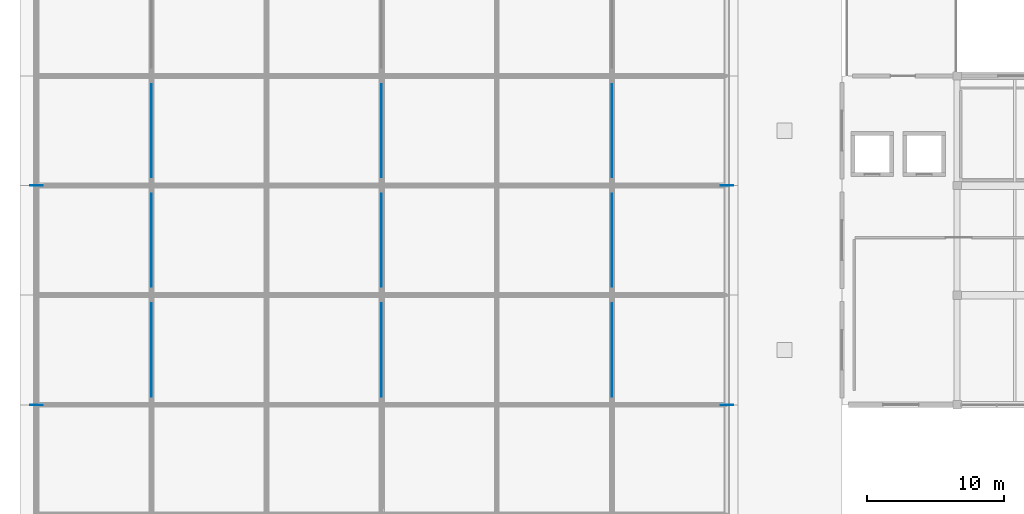
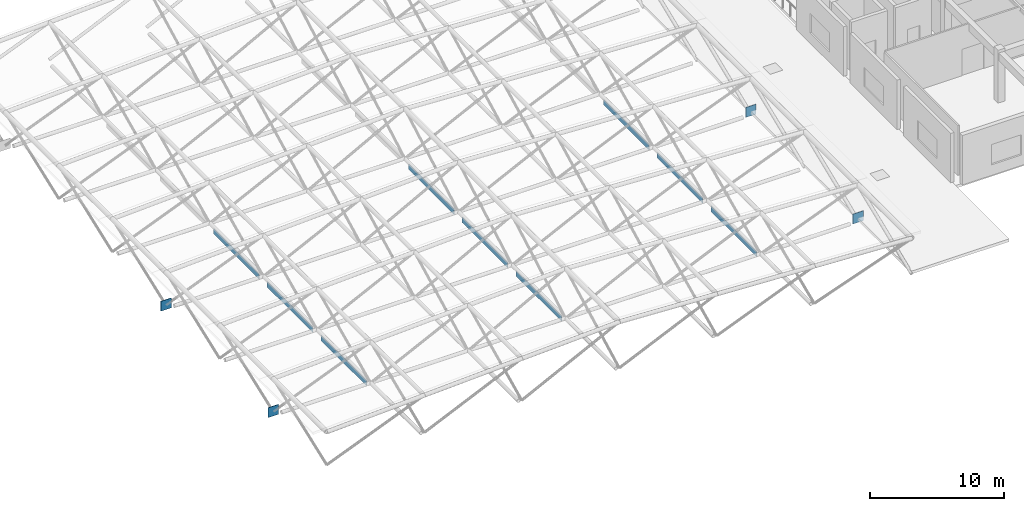
# One storey, part 15 of 37: 13 plates.
"""IFC4 building model written with IfcOpenShell, lengths in metres."""

from ifc_helpers import new_model, si_unit, direction, frame, origin, origin_2d, place, context, subcontext, project, spatial, rectangle, extrude, material, layer, layer_set, type_object, element, save


model = new_model("IFC4")

# Units and contexts
model_context = context("Model", 3, precision=1e-05, world=origin(), true_north=direction((0.0, 1.0)))
body_context = subcontext(model_context, "Body", "Model", "MODEL_VIEW")
ifc_project = project(units=[si_unit("LENGTHUNIT", "METRE"), si_unit("AREAUNIT", "SQUARE_METRE"), si_unit("VOLUMEUNIT", "CUBIC_METRE"), si_unit("PLANEANGLEUNIT", "RADIAN"), si_unit("MASSUNIT", "GRAM", prefix="KILO")], contexts=[model_context])

# Site, building, storey
site_placement = place(None, origin())
site = spatial("IfcSite", under=ifc_project, at=site_placement, CompositionType="ELEMENT")
building_placement = place(site_placement, origin())
building = spatial("IfcBuilding", under=site, at=building_placement, Name="Naruveol Harbour Congress Hotel", CompositionType="ELEMENT")
storey_placement = place(building_placement, frame((0.0, 0.0, 16.199951171875)))
storey = spatial("IfcBuildingStorey", under=building, at=storey_placement, Name="L03", CompositionType="ELEMENT", Elevation=16.199951171875)

# Plates
ifc_material_1 = material(Name="Precast concrete C40/50", Category="concrete")
ifc_layer_1 = layer(ifc_material_1, 0.0400390625)
ifc_layer_set_1 = layer_set([ifc_layer_1], Name="Precast concrete C40/50")
plate_type_1 = type_object("IfcPlateType", Name="CONGRESS HALL SUSPENDED ACOUSTIC BAFFLE 40", PredefinedType="SHEET", material=ifc_layer_set_1)
for number, where, z_axis, x_axis, name in (
    (1, (8.39990234375, 12.0, -0.949951171875), (0.0, 0.0, 1.0), (1.0, 0.0, 0.0), "Congress Hall suspended acoustic baffle #1.8"),
    (2, (25.199951171875, 12.0, -0.949951171875), (0.0, 0.0, 1.0), (1.0, 0.0, 0.0), "Congress Hall suspended acoustic baffle #1.25"),
    (3, (42.0, 12.0, -0.949951171875), (0.0, 0.0, 1.0), (1.0, 0.0, 0.0), "Congress Hall suspended acoustic baffle #1.42"),
    (4, (8.39990234375, 20.0, -0.949951171875), (0.0, 0.0, 1.0), (1.0, 0.0, 0.0), "Congress Hall suspended acoustic baffle #2.8"),
    (5, (25.199951171875, 20.0, -0.949951171875), (0.0, 0.0, 1.0), (1.0, 0.0, 0.0), "Congress Hall suspended acoustic baffle #2.25"),
    (6, (42.0, 20.0, -0.949951171875), (0.0, 0.0, 1.0), (1.0, 0.0, 0.0), "Congress Hall suspended acoustic baffle #2.42"),
    (7, (8.39990234375, 28.0, -0.949951171875), (0.0, 0.0, 1.0), (1.0, 0.0, 0.0), "Congress Hall suspended acoustic baffle #3.8"),
    (8, (25.199951171875, 28.0, -0.949951171875), (0.0, 0.0, 1.0), (1.0, 0.0, 0.0), "Congress Hall suspended acoustic baffle #3.25"),
    (9, (42.0, 28.0, -0.949951171875), (0.0, 0.0, 1.0), (1.0, 0.0, 0.0), "Congress Hall suspended acoustic baffle #3.42"),
):
    element("IfcPlate", number, at=place(storey_placement, frame(where, z_axis=z_axis, x_axis=x_axis)), inside=storey, type_object=plate_type_1, Name=name, PredefinedType="SHEET", context=body_context, shape_type="SweptSolid", body=[
        extrude(rectangle(XDim=0.0400390625, YDim=6.800048828125, at=origin_2d()), origin(), (0.0, 0.0, 1.0), 0.5),
    ])
ifc_material_2 = material(Name="Steel SN490", Category="steel")
ifc_layer_2 = layer(ifc_material_2, 0.035888671875)
ifc_layer_set_2 = layer_set([ifc_layer_2], Name="Steel SN490")
plate_type_2 = type_object("IfcPlateType", Name="STEEL SPACE FRAME NODE PLATE 36", PredefinedType="USERDEFINED", material=ifc_layer_set_2)
for number, where, z_axis, x_axis, name in (
    (10, (0.0, 8.0, -0.39990234375), (0.0, 0.0, 1.0), (1.0, 0.0, 0.0), "Congress space frame bearing node plate #1"),
    (11, (0.0, 24.0, -0.39990234375), (0.0, 0.0, 1.0), (1.0, 0.0, 0.0), "Congress space frame bearing node plate #2"),
    (12, (50.39990234375, 8.0, -0.39990234375), (0.0, 0.0, 1.0), (1.0, 0.0, 0.0), "Congress space frame bearing node plate #4"),
    (13, (50.39990234375, 24.0, -0.39990234375), (0.0, 0.0, 1.0), (1.0, 0.0, 0.0), "Congress space frame bearing node plate #5"),
):
    element("IfcPlate", number, at=place(storey_placement, frame(where, z_axis=z_axis, x_axis=x_axis)), inside=storey, type_object=plate_type_2, Name=name, ObjectType="GUSSET PLATE", PredefinedType="USERDEFINED", context=body_context, shape_type="SweptSolid", body=[
        extrude(rectangle(XDim=0.89990234375, YDim=0.035888671875, at=origin_2d()), origin(), (0.0, 0.0, 1.0), 0.89990234375),
    ])

save(model, "model.ifc")
